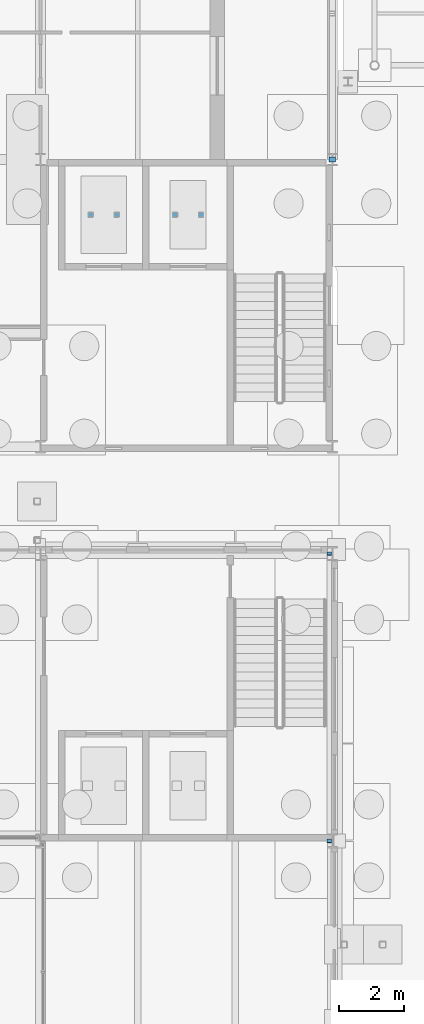
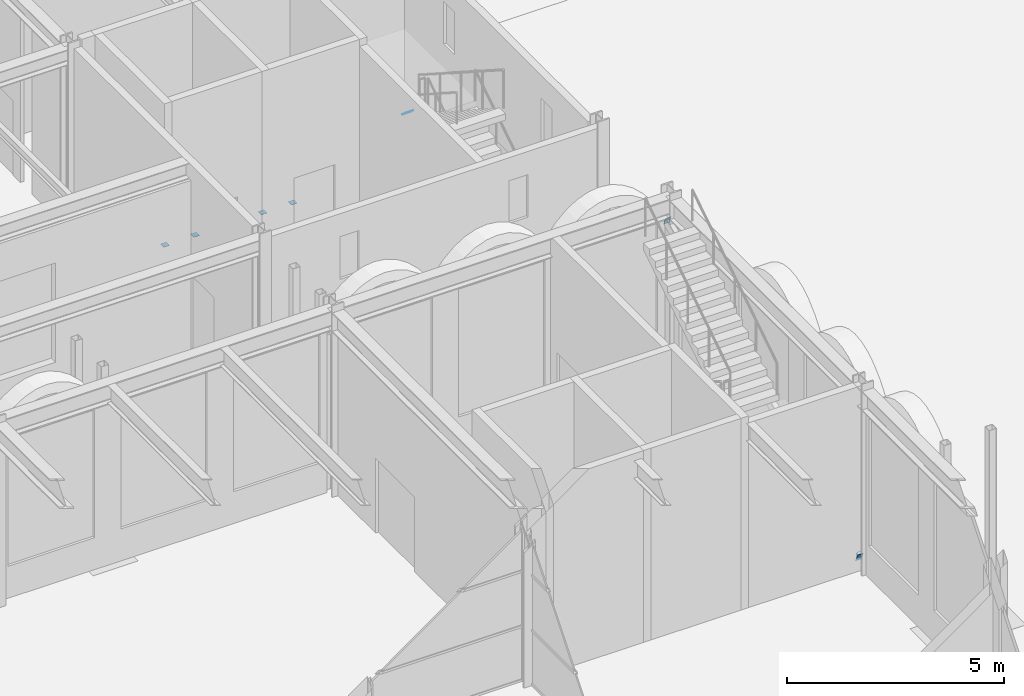
# One storey, part 95 of 126: 7 discrete accessories.
"""IFC4 building model written with IfcOpenShell, lengths in metres."""

import ifcopenshell
import ifcopenshell.guid

model = None  # the IFC model being written
_history = None  # IfcOwnerHistory: only IFC2X3 demands one
_inside = {}  # id of a spatial element -> (the spatial element, [elements in it])
_under = {}  # id of a project, library or spatial element -> (it, [spatial elements below it])
_declared = {}  # id of a project -> (the project, [libraries it declares])
_typed = {}  # id of a type object -> (the type object, [elements of that type])
_made_of = {}  # id of a material, layer set ... -> (it, [elements and type objects made of it])


def new_model(schema):
    """Start an empty IFC model of exactly this schema.

    Asked for "IFC4X3", IfcOpenShell would pick the latest addendum, in which some entities
    have other attributes; the version numbers below select the first issue.
    IFC2X3 requires an IfcOwnerHistory on every rooted entity: one is made here for all.
    """
    global model, _history
    if schema == "IFC4X3":
        model = ifcopenshell.file(schema_version=(4, 3, 0, 0))
    else:
        model = ifcopenshell.file(schema=schema)
    _inside.clear()
    _under.clear()
    _declared.clear()
    _typed.clear()
    _made_of.clear()
    _history = None
    if model.schema == "IFC2X3":
        org = make("IfcOrganization", Name="unknown")
        user = make(
            "IfcPersonAndOrganization",
            ThePerson=make("IfcPerson", FamilyName="unknown"),
            TheOrganization=org,
        )
        app = make(
            "IfcApplication",
            ApplicationDeveloper=org,
            Version="unknown",
            ApplicationFullName="unknown",
            ApplicationIdentifier="unknown",
        )
        _history = make(
            "IfcOwnerHistory",
            OwningUser=user,
            OwningApplication=app,
            ChangeAction="ADDED",
            CreationDate=0,
        )
    return model


def make(cls, **values):
    """One entity of the class cls with the attributes given. An attribute that is None is left unset."""
    return model.create_entity(
        cls, **{name: value for name, value in values.items() if value is not None}
    )


def rooted(cls, **values):
    """An entity with a GlobalId (a new one), such as an element, a storey or a relation."""
    return make(cls, GlobalId=ifcopenshell.guid.new(), OwnerHistory=_history, **values)


def si_unit(unit_type, name, prefix=None):
    """IfcSIUnit, for example si_unit("LENGTHUNIT", "METRE", prefix="MILLI")."""
    return make("IfcSIUnit", UnitType=unit_type, Prefix=prefix, Name=name)


def assignment(units):
    """IfcUnitAssignment: the units of a project."""
    return None if units is None else make("IfcUnitAssignment", Units=units)


def point(xyz):
    """IfcCartesianPoint."""
    return None if xyz is None else make("IfcCartesianPoint", Coordinates=xyz)


def direction(xyz):
    """IfcDirection."""
    return None if xyz is None else make("IfcDirection", DirectionRatios=xyz)


def frame(location, z_axis=None, x_axis=None):
    """IfcAxis2Placement3D, a coordinate frame: its origin and axes. An axis left out is left unset."""
    return make(
        "IfcAxis2Placement3D",
        Location=point(location),
        Axis=direction(z_axis),
        RefDirection=direction(x_axis),
    )


def frame_2d(location, x_axis=None):
    """IfcAxis2Placement2D, a coordinate frame in the plane: its origin and x axis."""
    return make(
        "IfcAxis2Placement2D", Location=point(location), RefDirection=direction(x_axis)
    )


def origin():
    """The frame at (0, 0, 0) with its axes left unset."""
    return frame((0.0, 0.0, 0.0))


def origin_2d():
    """The frame at (0, 0) in the plane with its x axis left unset."""
    return frame_2d((0.0, 0.0))


def place(relative_to, where):
    """IfcLocalPlacement: puts the frame where relative to a parent placement (None: the world)."""
    return make(
        "IfcLocalPlacement", PlacementRelTo=relative_to, RelativePlacement=where
    )


def context(
    kind, dimensions, precision=None, world=None, true_north=None, identifier=None
):
    """IfcGeometricRepresentationContext, for example the 3D "Model" context."""
    return make(
        "IfcGeometricRepresentationContext",
        ContextIdentifier=identifier,
        ContextType=kind,
        CoordinateSpaceDimension=dimensions,
        Precision=precision,
        WorldCoordinateSystem=world,
        TrueNorth=true_north,
    )


def subcontext(parent, identifier, kind, view, scale=None):
    """IfcGeometricRepresentationSubContext, for example "Body" below "Model"."""
    return make(
        "IfcGeometricRepresentationSubContext",
        ContextIdentifier=identifier,
        ContextType=kind,
        ParentContext=parent,
        TargetScale=scale,
        TargetView=view,
    )


def project(units=None, contexts=None):
    """IfcProject with its units and contexts."""
    return rooted(
        "IfcProject",
        Name="project",
        RepresentationContexts=contexts,
        UnitsInContext=assignment(units),
    )


def spatial(cls, under=None, at=None, **own):
    """A site, building, storey or space (cls), placed at a placement, below another one or the project."""
    s = rooted(cls, ObjectPlacement=at, **own)
    if under is not None:
        _under.setdefault(under.id(), (under, []))[1].append(s)
    return s


def profile(cls, at=None, kind="AREA", **sizes):
    """A parametric profile (cls). Its sizes go by their IFC names, for example OverallWidth=200.0."""
    return make(cls, ProfileType=kind, Position=at, **sizes)


def rectangle(**sizes):
    """IfcRectangleProfileDef."""
    return profile("IfcRectangleProfileDef", **sizes)


def extrude(swept, where, along, depth):
    """IfcExtrudedAreaSolid: the profile swept, set in the frame where, extruded along a direction by depth."""
    return make(
        "IfcExtrudedAreaSolid",
        SweptArea=swept,
        Position=where,
        ExtrudedDirection=direction(along),
        Depth=depth,
    )


def shape(context_of_items, identifier, shape_type, items):
    """IfcShapeRepresentation: the items that make up one representation, for example the "Body"."""
    return make(
        "IfcShapeRepresentation",
        ContextOfItems=context_of_items,
        RepresentationIdentifier=identifier,
        RepresentationType=shape_type,
        Items=items,
    )


def material(Name=None, Category=None):
    """IfcMaterial."""
    return make("IfcMaterial", Name=Name, Category=Category)


def material_profile(
    of_material, cross_section, Name=None, Category=None, Priority=None
):
    """IfcMaterialProfile: a cross section and its material."""
    return make(
        "IfcMaterialProfile",
        Name=Name,
        Material=of_material,
        Profile=cross_section,
        Priority=Priority,
        Category=Category,
    )


def profile_set(profiles, Name=None, composite=None):
    """IfcMaterialProfileSet."""
    return make(
        "IfcMaterialProfileSet",
        Name=Name,
        MaterialProfiles=profiles,
        CompositeProfile=composite,
    )


def made_of(thing, what):
    """Note that an element or type object is made of a material, layer set ...; save() writes the relation."""
    if what is not None:
        _made_of.setdefault(what.id(), (what, []))[1].append(thing)
    return thing


def type_object(cls, material=None, **own):
    """A type object (cls), such as IfcWallType, which elements share."""
    return made_of(rooted(cls, **own), material)


def element(
    cls,
    number,
    at=None,
    inside=None,
    cuts=None,
    type_object=None,
    material=None,
    context=None,
    identifier="Body",
    shape_type=None,
    held_by="IfcProductDefinitionShape",
    body=None,
    shapes=None,
    **own,
):
    """One element of the class cls, such as IfcWall. Its Tag is "e" and its number.

    at: its placement. inside: the storey or other place that contains it. cuts: it is an
    opening in that element (IfcRelVoidsElement). A single representation is given by context,
    identifier, shape_type and body (its items); several are given by shapes. held_by: the class
    of the entity that holds the representations. save() writes the other relations.
    """
    e = rooted(cls, Tag="e%d" % number, ObjectPlacement=at, **own)
    if body is not None:
        shapes = [shape(context, identifier, shape_type, body)]
    if shapes is not None:
        e.Representation = make(held_by, Representations=shapes)
    if inside is not None:
        _inside.setdefault(inside.id(), (inside, []))[1].append(e)
    if cuts is not None:
        rooted(
            "IfcRelVoidsElement", RelatingBuildingElement=cuts, RelatedOpeningElement=e
        )
    if type_object is not None:
        _typed.setdefault(type_object.id(), (type_object, []))[1].append(e)
    return made_of(e, material)


def aggregate(whole, parts):
    """IfcRelAggregates: a whole, such as a stair, and the parts it consists of."""
    return rooted("IfcRelAggregates", RelatingObject=whole, RelatedObjects=parts)


def save(model, path):
    """Write the relations noted so far, then the file.

    IfcRelAggregates (storeys below a building ...), IfcRelContainedInSpatialStructure (elements
    in a storey), IfcRelDefinesByType, IfcRelAssociatesMaterial and IfcRelDeclares: one each for
    every whole, place, type object, material and project.
    """
    for whole, parts in _under.values():
        aggregate(whole, parts)
    for where, things in _inside.values():
        rooted(
            "IfcRelContainedInSpatialStructure",
            RelatedElements=things,
            RelatingStructure=where,
        )
    for kind, things in _typed.values():
        rooted("IfcRelDefinesByType", RelatedObjects=things, RelatingType=kind)
    for what, things in _made_of.values():
        rooted("IfcRelAssociatesMaterial", RelatedObjects=things, RelatingMaterial=what)
    for by, libraries in _declared.values():
        rooted("IfcRelDeclares", RelatingContext=by, RelatedDefinitions=libraries)
    model.write(path)


model = new_model("IFC4")

# Units and contexts
model_context = context("Model", 3, precision=1e-05, world=origin(), true_north=direction((0.0, 1.0)))
body_context = subcontext(model_context, "Body", "Model", "MODEL_VIEW")
ifc_project = project(units=[si_unit("LENGTHUNIT", "METRE"), si_unit("AREAUNIT", "SQUARE_METRE"), si_unit("VOLUMEUNIT", "CUBIC_METRE"), si_unit("PLANEANGLEUNIT", "RADIAN"), si_unit("MASSUNIT", "GRAM", prefix="KILO")], contexts=[model_context])

# Site, building, storey
site_placement = place(None, origin())
site = spatial("IfcSite", under=ifc_project, at=site_placement, CompositionType="ELEMENT")
building_placement = place(site_placement, origin())
building = spatial("IfcBuilding", under=site, at=building_placement, Name="Kallimachos Central Library", CompositionType="ELEMENT")
storey_placement = place(building_placement, origin())
storey = spatial("IfcBuildingStorey", under=building, at=storey_placement, Name="L00", CompositionType="ELEMENT", Elevation=0.0)

# Discrete accessories
ifc_material_1 = material(Name="Steel S355J2", Category="steel")
ifc_material_profile_1 = material_profile(ifc_material_1, rectangle(XDim=0.14990234375, YDim=0.14990234375, at=origin_2d()), Name="End cap plate 10, 150x150")
ifc_profile_set_1 = profile_set([ifc_material_profile_1], Name="Steel S355J2")
discrete_accessory_type_1 = type_object("IfcDiscreteAccessoryType", Name="End cap plate 10, 150x150", PredefinedType="BRACKET", material=ifc_profile_set_1)
for number, where, z_axis, x_axis, name in (
    (1, (105.64990234375, 94.300048828125, 0.050048828125), (0.0, 0.0, 1.0), (1.0, 0.0, 0.0), "End cap plate"),
    (2, (106.449951171875, 94.300048828125, 0.050048828125), (0.0, 0.0, 1.0), (1.0, 0.0, 0.0), "End cap plate"),
    (3, (103.050048828125, 94.300048828125, 0.050048828125), (0.0, 0.0, 1.0), (1.0, 0.0, 0.0), "End cap plate"),
    (4, (103.85009765625, 94.300048828125, 0.050048828125), (0.0, 0.0, 1.0), (1.0, 0.0, 0.0), "End cap plate"),
):
    element("IfcDiscreteAccessory", number, at=place(storey_placement, frame(where, z_axis=z_axis, x_axis=x_axis)), inside=storey, type_object=discrete_accessory_type_1, Name=name, PredefinedType="BRACKET", context=body_context, shape_type="SweptSolid", body=[
        extrude(rectangle(XDim=0.14990234375, YDim=0.14990234375, at=origin_2d()), origin(), (0.0, 0.0, 1.0), 0.010009765625),
    ])
ifc_material_2 = material(Name="Steel S355J2", Category="steel")
ifc_material_profile_2 = material_profile(ifc_material_2, rectangle(XDim=0.14990234375, YDim=0.25, at=origin_2d()), Name="End cap plate 10, 150x250")
ifc_profile_set_2 = profile_set([ifc_material_profile_2], Name="Steel S355J2")
discrete_accessory_type_2 = type_object("IfcDiscreteAccessoryType", Name="End cap plate 10, 150x250", PredefinedType="BRACKET", material=ifc_profile_set_2)
for number, where, z_axis, x_axis, name in (
    (5, (110.39990234375, 74.990966796875, 0.395751953125), (0.0, 0.908676843963, 0.417500171551), (-1.0, 0.0, 0.0), "End cap plate"),
    (6, (110.39990234375, 83.85009765625, 4.5), (0.0, 0.908676843963, 0.417500171551), (-1.0, 0.0, 0.0), "End cap plate"),
):
    element("IfcDiscreteAccessory", number, at=place(storey_placement, frame(where, z_axis=z_axis, x_axis=x_axis)), inside=storey, type_object=discrete_accessory_type_2, Name=name, PredefinedType="BRACKET", context=body_context, shape_type="SweptSolid", body=[
        extrude(rectangle(XDim=0.14990234375, YDim=0.25, at=origin_2d()), origin(), (0.0, 0.0, 1.0), 0.010009765625),
    ])
ifc_material_3 = material(Name="Steel S355J2", Category="steel")
ifc_material_profile_3 = material_profile(ifc_material_3, rectangle(XDim=0.199951171875, YDim=0.199951171875, at=origin_2d()), Name="End cap plate 10, 200x200")
ifc_profile_set_3 = profile_set([ifc_material_profile_3], Name="Steel S355J2")
discrete_accessory_type_3 = type_object("IfcDiscreteAccessoryType", Name="End cap plate 10, 200x200", PredefinedType="BRACKET", material=ifc_profile_set_3)
discrete_accessory_placement = place(storey_placement, frame((110.5, 95.993408203125, 0.142578125), z_axis=(0.0, 0.668964731622, 0.743294146247), x_axis=(-1.0, 0.0, 0.0)))
element("IfcDiscreteAccessory", 7, at=discrete_accessory_placement, inside=storey, type_object=discrete_accessory_type_3, Name="End cap plate", PredefinedType="BRACKET", context=body_context, shape_type="SweptSolid", body=[
    extrude(rectangle(XDim=0.199951171875, YDim=0.199951171875, at=origin_2d()), origin(), (0.0, 0.0, 1.0), 0.009765625),
])

save(model, "model.ifc")
